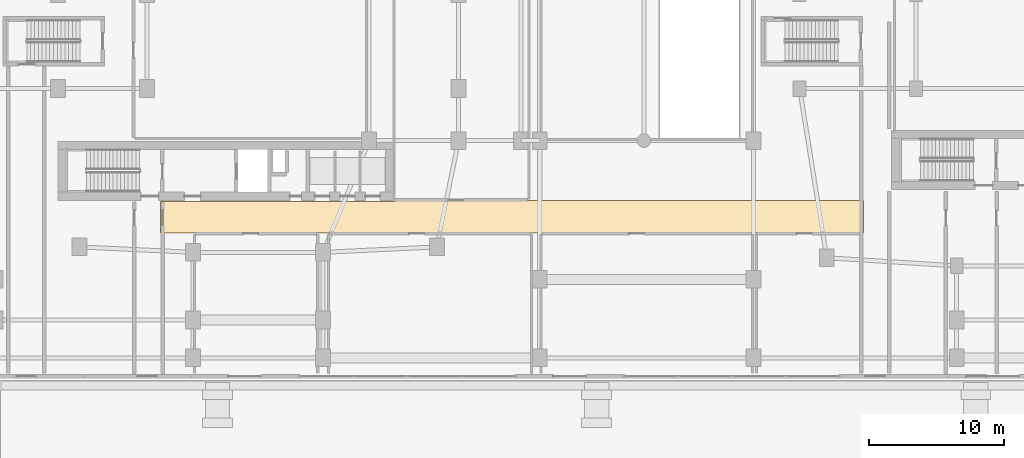
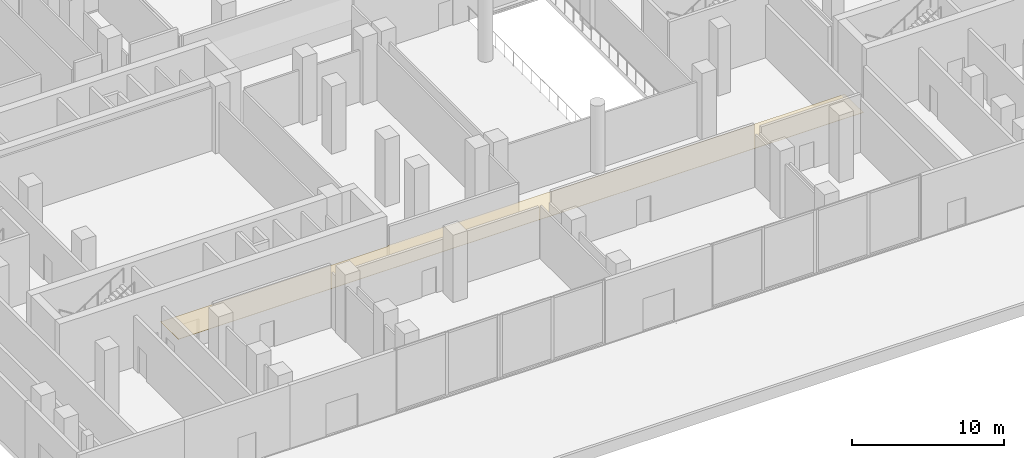
# One storey, part 20 of 24: 1 covering.
"""IFC4 building model written with IfcOpenShell, lengths in metres."""

from ifc_helpers import new_model, si_unit, derived_unit, direction, frame, origin, place, context, subcontext, project, spatial, polyline, outline, extrude, material, layer, layer_set, type_object, element, save


model = new_model("IFC4")

# Units and contexts
model_context = context("Model", 3, precision=1e-05, world=origin(), true_north=direction((0.0, 1.0)))
body_context = subcontext(model_context, "Body", "Model", "MODEL_VIEW")
ifc_project = project(units=[si_unit("LENGTHUNIT", "METRE"), si_unit("AREAUNIT", "SQUARE_METRE"), si_unit("VOLUMEUNIT", "CUBIC_METRE"), si_unit("PLANEANGLEUNIT", "RADIAN"), si_unit("MASSUNIT", "GRAM", prefix="KILO"), derived_unit("THERMALTRANSMITTANCEUNIT", [(si_unit("POWERUNIT", "WATT"), 1), (si_unit("LENGTHUNIT", "METRE"), -2), (si_unit("THERMODYNAMICTEMPERATUREUNIT", "KELVIN"), -1)])], contexts=[model_context])

# Site, building, storey
site_placement = place(None, origin())
site = spatial("IfcSite", under=ifc_project, at=site_placement, CompositionType="ELEMENT")
building_placement = place(site_placement, origin())
building = spatial("IfcBuilding", under=site, at=building_placement, Name="Kivonza Crest Hotel", CompositionType="ELEMENT")
storey_placement = place(building_placement, origin())
storey = spatial("IfcBuildingStorey", under=building, at=storey_placement, Name="L00", CompositionType="ELEMENT", Elevation=0.0)

# Covering
ifc_material = material(Name="Mineral-fibre acoustic ceiling tile", Category="gypsum")
ifc_layer = layer(ifc_material, 0.02490234375)
ifc_layer_set = layer_set([ifc_layer], Name="Mineral-fibre acoustic ceiling tile")
covering_type = type_object("IfcCoveringType", Name="CV-CEIL-ACOU", PredefinedType="CEILING", material=ifc_layer_set)
covering_placement = place(storey_placement, frame((0.0, 0.0, 3.0)))
element("IfcCovering", 1, at=covering_placement, inside=storey, type_object=covering_type, Name="L00 Ground South and East Concourse Corridor suspended ceiling", PredefinedType="CEILING", context=body_context, shape_type="SweptSolid", body=[
    extrude(outline(polyline([(13.7900390625, 10.81005859375), (65.7099609375, 10.81005859375), (65.7099609375, 13.239990234375), (31.10009765625, 13.239990234375), (31.10009765625, 13.139892578125), (13.7900390625, 13.139892578125), (13.7900390625, 10.81005859375)])), origin(), (0.0, 0.0, 1.0), 0.02490234375),
])

save(model, "model.ifc")
